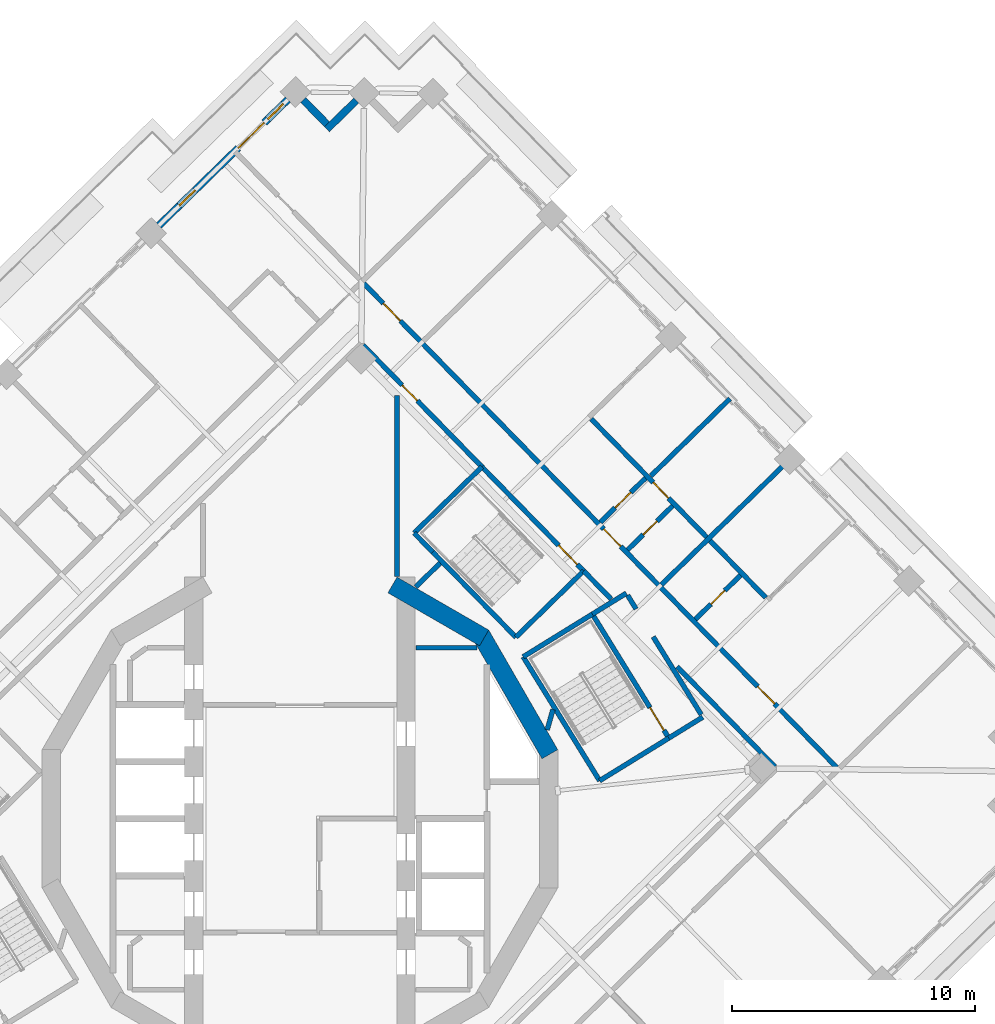
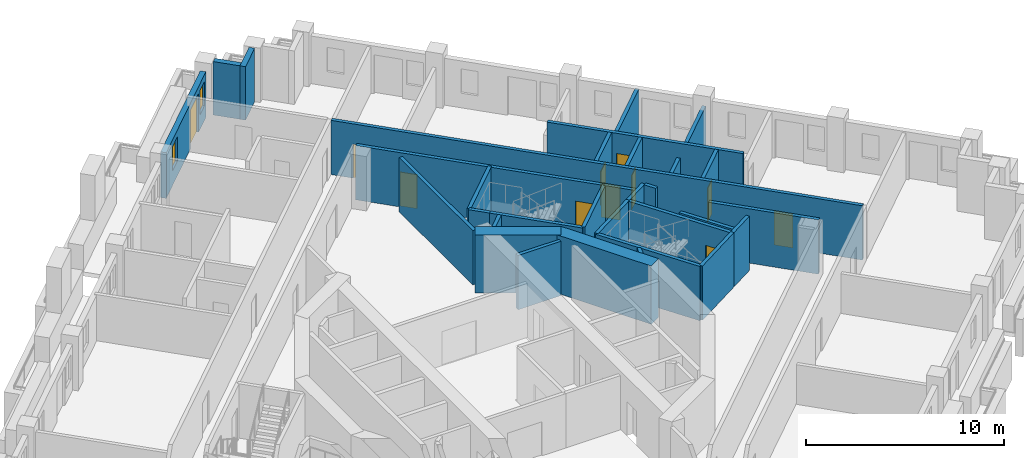
# One storey, part 9 of 17: 32 walls, 11 doors, 2 windows, 13 openings.
"""IFC4 building model written with IfcOpenShell, lengths in metres."""

import ifcopenshell
import ifcopenshell.guid

model = None  # the IFC model being written
_history = None  # IfcOwnerHistory: only IFC2X3 demands one
_inside = {}  # id of a spatial element -> (the spatial element, [elements in it])
_under = {}  # id of a project, library or spatial element -> (it, [spatial elements below it])
_declared = {}  # id of a project -> (the project, [libraries it declares])
_typed = {}  # id of a type object -> (the type object, [elements of that type])
_made_of = {}  # id of a material, layer set ... -> (it, [elements and type objects made of it])


def new_model(schema):
    """Start an empty IFC model of exactly this schema.

    Asked for "IFC4X3", IfcOpenShell would pick the latest addendum, in which some entities
    have other attributes; the version numbers below select the first issue.
    IFC2X3 requires an IfcOwnerHistory on every rooted entity: one is made here for all.
    """
    global model, _history
    if schema == "IFC4X3":
        model = ifcopenshell.file(schema_version=(4, 3, 0, 0))
    else:
        model = ifcopenshell.file(schema=schema)
    _inside.clear()
    _under.clear()
    _declared.clear()
    _typed.clear()
    _made_of.clear()
    _history = None
    if model.schema == "IFC2X3":
        org = make("IfcOrganization", Name="unknown")
        user = make(
            "IfcPersonAndOrganization",
            ThePerson=make("IfcPerson", FamilyName="unknown"),
            TheOrganization=org,
        )
        app = make(
            "IfcApplication",
            ApplicationDeveloper=org,
            Version="unknown",
            ApplicationFullName="unknown",
            ApplicationIdentifier="unknown",
        )
        _history = make(
            "IfcOwnerHistory",
            OwningUser=user,
            OwningApplication=app,
            ChangeAction="ADDED",
            CreationDate=0,
        )
    return model


def make(cls, **values):
    """One entity of the class cls with the attributes given. An attribute that is None is left unset."""
    return model.create_entity(
        cls, **{name: value for name, value in values.items() if value is not None}
    )


def rooted(cls, **values):
    """An entity with a GlobalId (a new one), such as an element, a storey or a relation."""
    return make(cls, GlobalId=ifcopenshell.guid.new(), OwnerHistory=_history, **values)


def si_unit(unit_type, name, prefix=None):
    """IfcSIUnit, for example si_unit("LENGTHUNIT", "METRE", prefix="MILLI")."""
    return make("IfcSIUnit", UnitType=unit_type, Prefix=prefix, Name=name)


def assignment(units):
    """IfcUnitAssignment: the units of a project."""
    return None if units is None else make("IfcUnitAssignment", Units=units)


def point(xyz):
    """IfcCartesianPoint."""
    return None if xyz is None else make("IfcCartesianPoint", Coordinates=xyz)


def direction(xyz):
    """IfcDirection."""
    return None if xyz is None else make("IfcDirection", DirectionRatios=xyz)


def frame(location, z_axis=None, x_axis=None):
    """IfcAxis2Placement3D, a coordinate frame: its origin and axes. An axis left out is left unset."""
    return make(
        "IfcAxis2Placement3D",
        Location=point(location),
        Axis=direction(z_axis),
        RefDirection=direction(x_axis),
    )


def frame_2d(location, x_axis=None):
    """IfcAxis2Placement2D, a coordinate frame in the plane: its origin and x axis."""
    return make(
        "IfcAxis2Placement2D", Location=point(location), RefDirection=direction(x_axis)
    )


def origin():
    """The frame at (0, 0, 0) with its axes left unset."""
    return frame((0.0, 0.0, 0.0))


def place(relative_to, where):
    """IfcLocalPlacement: puts the frame where relative to a parent placement (None: the world)."""
    return make(
        "IfcLocalPlacement", PlacementRelTo=relative_to, RelativePlacement=where
    )


def context(
    kind, dimensions, precision=None, world=None, true_north=None, identifier=None
):
    """IfcGeometricRepresentationContext, for example the 3D "Model" context."""
    return make(
        "IfcGeometricRepresentationContext",
        ContextIdentifier=identifier,
        ContextType=kind,
        CoordinateSpaceDimension=dimensions,
        Precision=precision,
        WorldCoordinateSystem=world,
        TrueNorth=true_north,
    )


def subcontext(parent, identifier, kind, view, scale=None):
    """IfcGeometricRepresentationSubContext, for example "Body" below "Model"."""
    return make(
        "IfcGeometricRepresentationSubContext",
        ContextIdentifier=identifier,
        ContextType=kind,
        ParentContext=parent,
        TargetScale=scale,
        TargetView=view,
    )


def project(units=None, contexts=None):
    """IfcProject with its units and contexts."""
    return rooted(
        "IfcProject",
        Name="project",
        RepresentationContexts=contexts,
        UnitsInContext=assignment(units),
    )


def spatial(cls, under=None, at=None, **own):
    """A site, building, storey or space (cls), placed at a placement, below another one or the project."""
    s = rooted(cls, ObjectPlacement=at, **own)
    if under is not None:
        _under.setdefault(under.id(), (under, []))[1].append(s)
    return s


def profile(cls, at=None, kind="AREA", **sizes):
    """A parametric profile (cls). Its sizes go by their IFC names, for example OverallWidth=200.0."""
    return make(cls, ProfileType=kind, Position=at, **sizes)


def rectangle(**sizes):
    """IfcRectangleProfileDef."""
    return profile("IfcRectangleProfileDef", **sizes)


def extrude(swept, where, along, depth):
    """IfcExtrudedAreaSolid: the profile swept, set in the frame where, extruded along a direction by depth."""
    return make(
        "IfcExtrudedAreaSolid",
        SweptArea=swept,
        Position=where,
        ExtrudedDirection=direction(along),
        Depth=depth,
    )


def shape(context_of_items, identifier, shape_type, items):
    """IfcShapeRepresentation: the items that make up one representation, for example the "Body"."""
    return make(
        "IfcShapeRepresentation",
        ContextOfItems=context_of_items,
        RepresentationIdentifier=identifier,
        RepresentationType=shape_type,
        Items=items,
    )


def material(Name=None, Category=None):
    """IfcMaterial."""
    return make("IfcMaterial", Name=Name, Category=Category)


def layer(
    of_material, thickness, ventilated=None, Name=None, Category=None, Priority=None
):
    """IfcMaterialLayer: one layer of a wall or slab, of a material (None: an air gap)."""
    return make(
        "IfcMaterialLayer",
        Material=of_material,
        LayerThickness=thickness,
        IsVentilated=ventilated,
        Name=Name,
        Category=Category,
        Priority=Priority,
    )


def layer_set(layers, Name=None):
    """IfcMaterialLayerSet."""
    return make("IfcMaterialLayerSet", MaterialLayers=layers, LayerSetName=Name)


def made_of(thing, what):
    """Note that an element or type object is made of a material, layer set ...; save() writes the relation."""
    if what is not None:
        _made_of.setdefault(what.id(), (what, []))[1].append(thing)
    return thing


def type_object(cls, material=None, **own):
    """A type object (cls), such as IfcWallType, which elements share."""
    return made_of(rooted(cls, **own), material)


def element(
    cls,
    number,
    at=None,
    inside=None,
    cuts=None,
    type_object=None,
    material=None,
    context=None,
    identifier="Body",
    shape_type=None,
    held_by="IfcProductDefinitionShape",
    body=None,
    shapes=None,
    **own,
):
    """One element of the class cls, such as IfcWall. Its Tag is "e" and its number.

    at: its placement. inside: the storey or other place that contains it. cuts: it is an
    opening in that element (IfcRelVoidsElement). A single representation is given by context,
    identifier, shape_type and body (its items); several are given by shapes. held_by: the class
    of the entity that holds the representations. save() writes the other relations.
    """
    e = rooted(cls, Tag="e%d" % number, ObjectPlacement=at, **own)
    if body is not None:
        shapes = [shape(context, identifier, shape_type, body)]
    if shapes is not None:
        e.Representation = make(held_by, Representations=shapes)
    if inside is not None:
        _inside.setdefault(inside.id(), (inside, []))[1].append(e)
    if cuts is not None:
        rooted(
            "IfcRelVoidsElement", RelatingBuildingElement=cuts, RelatedOpeningElement=e
        )
    if type_object is not None:
        _typed.setdefault(type_object.id(), (type_object, []))[1].append(e)
    return made_of(e, material)


def fill(opening, filler):
    """IfcRelFillsElement: the door or window that sits in an opening."""
    return rooted(
        "IfcRelFillsElement",
        RelatingOpeningElement=opening,
        RelatedBuildingElement=filler,
    )


def aggregate(whole, parts):
    """IfcRelAggregates: a whole, such as a stair, and the parts it consists of."""
    return rooted("IfcRelAggregates", RelatingObject=whole, RelatedObjects=parts)


def save(model, path):
    """Write the relations noted so far, then the file.

    IfcRelAggregates (storeys below a building ...), IfcRelContainedInSpatialStructure (elements
    in a storey), IfcRelDefinesByType, IfcRelAssociatesMaterial and IfcRelDeclares: one each for
    every whole, place, type object, material and project.
    """
    for whole, parts in _under.values():
        aggregate(whole, parts)
    for where, things in _inside.values():
        rooted(
            "IfcRelContainedInSpatialStructure",
            RelatedElements=things,
            RelatingStructure=where,
        )
    for kind, things in _typed.values():
        rooted("IfcRelDefinesByType", RelatedObjects=things, RelatingType=kind)
    for what, things in _made_of.values():
        rooted("IfcRelAssociatesMaterial", RelatedObjects=things, RelatingMaterial=what)
    for by, libraries in _declared.values():
        rooted("IfcRelDeclares", RelatingContext=by, RelatedDefinitions=libraries)
    model.write(path)


model = new_model("IFC4")

# Units and contexts
model_context = context("Model", 3, precision=1e-05, world=origin(), true_north=direction((0.0, 1.0)))
body_context = subcontext(model_context, "Body", "Model", "MODEL_VIEW")
ifc_project = project(units=[si_unit("LENGTHUNIT", "METRE"), si_unit("AREAUNIT", "SQUARE_METRE"), si_unit("VOLUMEUNIT", "CUBIC_METRE"), si_unit("PLANEANGLEUNIT", "RADIAN"), si_unit("MASSUNIT", "GRAM", prefix="KILO")], contexts=[model_context])

# Site, building, storey
site_placement = place(None, origin())
site = spatial("IfcSite", under=ifc_project, at=site_placement, CompositionType="ELEMENT")
building_placement = place(site_placement, origin())
building = spatial("IfcBuilding", under=site, at=building_placement, Name="Cantera Rosa Tower", CompositionType="ELEMENT")
storey_placement = place(building_placement, frame((0.0, 0.0, 237.800048828125)))
storey = spatial("IfcBuildingStorey", under=building, at=storey_placement, Name="L52", CompositionType="ELEMENT", Elevation=237.800048828125)

# Walls
ifc_material_1 = material(Name="Gypsum board partition")
ifc_layer_1 = layer(ifc_material_1, 0.199951171875)
ifc_layer_set_1 = layer_set([ifc_layer_1], Name="CORRIDOR WALL 200 H2300")
wall_type_1 = type_object("IfcWallType", Name="CORRIDOR WALL 200 H2300", PredefinedType="PARTITIONING", material=ifc_layer_set_1)
wall_1_placement = place(storey_placement, frame((16.53759765625, 4.291748046875, 0.0), z_axis=(0.0, 0.0, 1.0), x_axis=(-0.524978610061, 0.85111542048, 0.0)))
element("IfcWall", 1, at=wall_1_placement, inside=storey, type_object=wall_type_1, Name="CORRIDOR WALL L52-104", PredefinedType="PARTITIONING", context=body_context, shape_type="SweptSolid", body=[
    extrude(rectangle(XDim=3.7705078125, YDim=0.199951171875, at=frame_2d((1.88525390625, 0.0))), origin(), (0.0, 0.0, 1.0), 2.300048828125),
])
ifc_material_2 = material(Name="Gypsum board partition")
ifc_layer_2 = layer(ifc_material_2, 0.199951171875)
ifc_layer_set_2 = layer_set([ifc_layer_2], Name="CORRIDOR WALL 200 H3350")
wall_type_2 = type_object("IfcWallType", Name="CORRIDOR WALL 200 H3350", PredefinedType="PARTITIONING", material=ifc_layer_set_2)
wall_2_placement = place(storey_placement, frame((4.0, 9.994140625, 0.0), z_axis=(0.0, 0.0, 1.0), x_axis=(0.0, 1.0, 0.0)))
element("IfcWall", 2, at=wall_2_placement, inside=storey, type_object=wall_type_2, Name="CORRIDOR WALL L52-071", PredefinedType="PARTITIONING", context=body_context, shape_type="SweptSolid", body=[
    extrude(rectangle(XDim=7.44775390625, YDim=0.199951171875, at=frame_2d((3.723876953125, 0.0))), origin(), (0.0, 0.0, 1.0), 3.349853515625),
])

# Wall, opening, door
wall_3_placement = place(storey_placement, frame((7.498779296875, 14.50439453125, 0.0), z_axis=(0.0, 0.0, 1.0), x_axis=(-0.69881117118, 0.715306191106, 0.0)))
wall_3 = element("IfcWall", 3, at=wall_3_placement, inside=storey, type_object=wall_type_2, Name="CORRIDOR WALL L52-082", PredefinedType="PARTITIONING", context=body_context, shape_type="SweptSolid", body=[
    extrude(rectangle(XDim=7.015625, YDim=0.199951171875, at=frame_2d((3.5078125, 0.0))), origin(), (0.0, 0.0, 1.0), 3.349853515625),
])
opening_1_placement = place(wall_3_placement, frame((3.8056640625, 0.0, 0.0)))
opening_1 = element("IfcOpeningElement", 4, at=opening_1_placement, cuts=wall_3, Name="Opening L52-007", PredefinedType="OPENING", context=body_context, shape_type="SweptSolid", body=[
    extrude(rectangle(XDim=0.89990234375, YDim=2.10009765625, at=frame_2d((0.449951171875, 1.050048828125))), frame((0.0, 0.10986328125, 0.0), z_axis=(0.0, -1.0, 0.0), x_axis=(1.0, 0.0, 0.0)), (0.0, 0.0, 1.0), 0.219970703125),
])
ifc_material_3 = material(Name="Timber door leaf", Category="wood")
door_type_1 = type_object("IfcDoorType", Name="SERVICE DOOR 900x2100", OperationType="NOTDEFINED", PredefinedType="DOOR", material=ifc_material_3)
door_1_placement = place(opening_1_placement, origin())
door_1 = element("IfcDoor", 5, at=door_1_placement, inside=storey, type_object=door_type_1, Name="DOOR L52-007", OperationType="NOTDEFINED", OverallHeight=2.10009765625, OverallWidth=0.89990234375, PredefinedType="DOOR", context=body_context, shape_type="SweptSolid", body=[
    extrude(rectangle(XDim=0.89990234375, YDim=2.10009765625, at=frame_2d((0.449951171875, 1.050048828125))), frame((0.0, 0.02490234375, 0.0), z_axis=(0.0, -1.0, 0.0), x_axis=(1.0, 0.0, 0.0)), (0.0, 0.0, 1.0), 0.050048828125),
])
fill(opening_1, door_1)

# Walls
wall_4_placement = place(storey_placement, frame((12.05078125, 8.4326171875, 0.0), z_axis=(0.0, 0.0, 1.0), x_axis=(0.851076929832, 0.525041007453, 0.0)))
element("IfcWall", 6, at=wall_4_placement, inside=storey, type_object=wall_type_2, Name="CORRIDOR WALL L52-093", PredefinedType="PARTITIONING", context=body_context, shape_type="SweptSolid", body=[
    extrude(rectangle(XDim=1.645263671875, YDim=0.199951171875, at=frame_2d((0.82275390625, 0.0))), origin(), (0.0, 0.0, 1.0), 3.349853515625),
])
wall_5_placement = place(storey_placement, frame((12.828125, 9.0498046875, 0.0), z_axis=(0.0, 0.0, 1.0), x_axis=(-0.698800279723, 0.715316831242, 0.0)))
element("IfcWall", 7, at=wall_5_placement, inside=storey, type_object=wall_type_2, Name="CORRIDOR WALL L52-099", PredefinedType="PARTITIONING", context=body_context, shape_type="SweptSolid", body=[
    extrude(rectangle(XDim=1.6259765625, YDim=0.199951171875, at=frame_2d((0.81298828125, 0.0))), origin(), (0.0, 0.0, 1.0), 3.349853515625),
])
wall_6_placement = place(storey_placement, frame((15.20068359375, 3.325927734375, 0.0), z_axis=(0.0, 0.0, 1.0), x_axis=(0.8510360128, 0.525107327047, 0.0)))
element("IfcWall", 8, at=wall_6_placement, inside=storey, type_object=wall_type_2, Name="CORRIDOR WALL L52-103", PredefinedType="PARTITIONING", context=body_context, shape_type="SweptSolid", body=[
    extrude(rectangle(XDim=1.64501953125, YDim=0.199951171875, at=frame_2d((0.822509765625, 0.0))), origin(), (0.0, 0.0, 1.0), 3.349853515625),
])
wall_7_placement = place(storey_placement, frame((13.8525390625, 8.64501953125, 0.0), z_axis=(0.0, 0.0, 1.0), x_axis=(-0.52487540685, 0.851179068871, 0.0)))
element("IfcWall", 9, at=wall_7_placement, inside=storey, type_object=wall_type_2, Name="CORRIDOR WALL L52-105", PredefinedType="PARTITIONING", context=body_context, shape_type="SweptSolid", body=[
    extrude(rectangle(XDim=0.6650390625, YDim=0.199951171875, at=frame_2d((0.33251953125, 0.0))), origin(), (0.0, 0.0, 1.0), 3.349853515625),
])
wall_8_placement = place(storey_placement, frame((19.57763671875, 2.14111328125, 0.0), z_axis=(0.0, 0.0, 1.0), x_axis=(-0.698830151438, 0.715287648042, 0.0)))
element("IfcWall", 10, at=wall_8_placement, inside=storey, type_object=wall_type_2, Name="CORRIDOR WALL L52-111", PredefinedType="PARTITIONING", context=body_context, shape_type="SweptSolid", body=[
    extrude(rectangle(XDim=5.770751953125, YDim=0.199951171875, at=frame_2d((2.88525390625, 0.0))), origin(), (0.0, 0.0, 1.0), 3.349853515625),
])

# Wall, openings, doors
wall_9_placement = place(storey_placement, frame((22.123291015625, 2.111572265625, 0.0), z_axis=(0.0, 0.0, 1.0), x_axis=(-0.698833455684, 0.715284419806, 0.0)))
wall_9 = element("IfcWall", 11, at=wall_9_placement, inside=storey, type_object=wall_type_2, Name="CORRIDOR WALL L52-112", PredefinedType="PARTITIONING", context=body_context, shape_type="SweptSolid", body=[
    extrude(rectangle(XDim=27.900146484375, YDim=0.199951171875, at=frame_2d((13.9501953125, 0.0))), origin(), (0.0, 0.0, 1.0), 3.349853515625),
])
opening_2_placement = place(wall_9_placement, frame((3.669921875, 0.0, 0.0)))
opening_2 = element("IfcOpeningElement", 12, at=opening_2_placement, cuts=wall_9, Name="Opening L52-022", PredefinedType="OPENING", context=body_context, shape_type="SweptSolid", body=[
    extrude(rectangle(XDim=1.0, YDim=2.10009765625, at=frame_2d((0.5, 1.050048828125))), frame((0.0, 0.10986328125, 0.0), z_axis=(0.0, -1.0, 0.0), x_axis=(1.0, 0.0, 0.0)), (0.0, 0.0, 1.0), 0.219970703125),
])
opening_3_placement = place(wall_9_placement, frame((12.739990234375, 0.0, 0.0)))
opening_3 = element("IfcOpeningElement", 13, at=opening_3_placement, cuts=wall_9, Name="Opening L52-025", PredefinedType="OPENING", context=body_context, shape_type="SweptSolid", body=[
    extrude(rectangle(XDim=1.0, YDim=2.10009765625, at=frame_2d((0.5, 1.050048828125))), frame((0.0, 0.10986328125, 0.0), z_axis=(0.0, -1.0, 0.0), x_axis=(1.0, 0.0, 0.0)), (0.0, 0.0, 1.0), 0.219970703125),
])
opening_4_placement = place(wall_9_placement, frame((25.739990234375, 0.0, 0.0)))
opening_4 = element("IfcOpeningElement", 14, at=opening_4_placement, cuts=wall_9, Name="Opening L52-030", PredefinedType="OPENING", context=body_context, shape_type="SweptSolid", body=[
    extrude(rectangle(XDim=1.0, YDim=2.10009765625, at=frame_2d((0.5, 1.050048828125))), frame((0.0, 0.10986328125, 0.0), z_axis=(0.0, -1.0, 0.0), x_axis=(1.0, 0.0, 0.0)), (0.0, 0.0, 1.0), 0.219970703125),
])
ifc_material_4 = material(Name="Timber door leaf", Category="wood")
door_type_2 = type_object("IfcDoorType", Name="ENTRANCE DOOR 1000x2100", OperationType="NOTDEFINED", PredefinedType="DOOR", material=ifc_material_4)
door_2_placement = place(opening_2_placement, origin())
door_2 = element("IfcDoor", 15, at=door_2_placement, inside=storey, type_object=door_type_2, Name="DOOR L52-022", OperationType="NOTDEFINED", OverallHeight=2.10009765625, OverallWidth=1.0, PredefinedType="DOOR", context=body_context, shape_type="SweptSolid", body=[
    extrude(rectangle(XDim=1.0, YDim=2.10009765625, at=frame_2d((0.5, 1.050048828125))), frame((0.0, 0.02490234375, 0.0), z_axis=(0.0, -1.0, 0.0), x_axis=(1.0, 0.0, 0.0)), (0.0, 0.0, 1.0), 0.050048828125),
])
fill(opening_2, door_2)
door_3_placement = place(opening_3_placement, origin())
door_3 = element("IfcDoor", 16, at=door_3_placement, inside=storey, type_object=door_type_2, Name="DOOR L52-025", OperationType="NOTDEFINED", OverallHeight=2.10009765625, OverallWidth=1.0, PredefinedType="DOOR", context=body_context, shape_type="SweptSolid", body=[
    extrude(rectangle(XDim=1.0, YDim=2.10009765625, at=frame_2d((0.5, 1.050048828125))), frame((0.0, 0.02490234375, 0.0), z_axis=(0.0, -1.0, 0.0), x_axis=(1.0, 0.0, 0.0)), (0.0, 0.0, 1.0), 0.050048828125),
])
fill(opening_3, door_3)
ifc_material_5 = material(Name="Timber door leaf", Category="wood")
door_type_3 = type_object("IfcDoorType", Name="ROOM DOOR 1000x2100", OperationType="NOTDEFINED", PredefinedType="DOOR", material=ifc_material_5)
door_4_placement = place(opening_4_placement, origin())
door_4 = element("IfcDoor", 17, at=door_4_placement, inside=storey, type_object=door_type_3, Name="DOOR L52-030", OperationType="NOTDEFINED", OverallHeight=2.10009765625, OverallWidth=1.0, PredefinedType="DOOR", context=body_context, shape_type="SweptSolid", body=[
    extrude(rectangle(XDim=1.0, YDim=2.10009765625, at=frame_2d((0.5, 1.050048828125))), frame((0.0, 0.02490234375, 0.0), z_axis=(0.0, -1.0, 0.0), x_axis=(1.0, 0.0, 0.0)), (0.0, 0.0, 1.0), 0.050048828125),
])
fill(opening_4, door_4)

# Walls
ifc_material_6 = material(Name="Hollow clay masonry with cantera stone cladding", Category="masonry")
ifc_layer_3 = layer(ifc_material_6, 0.300048828125)
ifc_layer_set_3 = layer_set([ifc_layer_3], Name="EW-LOGGIA 300")
wall_type_3 = type_object("IfcWallType", Name="EW-LOGGIA 300", PredefinedType="SOLIDWALL", material=ifc_layer_set_3)
wall_10_placement = place(storey_placement, frame((2.324462890625, 29.602783203125, 0.0), z_axis=(0.0, 0.0, 1.0), x_axis=(-0.715316077832, -0.69880105094, 0.0)))
element("IfcWall", 18, at=wall_10_placement, inside=storey, type_object=wall_type_3, Name="EN-L52-W06a", PredefinedType="SOLIDWALL", context=body_context, shape_type="SweptSolid", body=[
    extrude(rectangle(XDim=1.699951171875, YDim=0.300048828125, at=frame_2d((0.85009765625, 0.0))), origin(), (0.0, 0.0, 1.0), 3.300048828125),
])
wall_11_placement = place(storey_placement, frame((1.111083984375, 28.626953125, 0.0), z_axis=(0.0, 0.0, 1.0), x_axis=(-0.698951192766, 0.71516937164, 0.0)))
element("IfcWall", 19, at=wall_11_placement, inside=storey, type_object=wall_type_3, Name="EN-L52-W06b", PredefinedType="SOLIDWALL", context=body_context, shape_type="SweptSolid", body=[
    extrude(rectangle(XDim=1.39990234375, YDim=0.300048828125, at=frame_2d((0.699951171875, 0.0))), origin(), (0.0, 0.0, 1.0), 3.300048828125),
])

# Wall, openings, windows, door
ifc_material_7 = material(Name="Hollow clay masonry with cantera stone cladding", Category="masonry")
ifc_layer_4 = layer(ifc_material_7, 0.300048828125)
ifc_layer_set_4 = layer_set([ifc_layer_4], Name="EW-LOGGIA 300 H2820")
wall_type_4 = type_object("IfcWallType", Name="EW-LOGGIA 300 H2820", PredefinedType="SOLIDWALL", material=ifc_layer_set_4)
wall_12_placement = place(storey_placement, frame((-0.503662109375, 29.6357421875, 0.0), z_axis=(0.0, 0.0, 1.0), x_axis=(-0.715284379566, -0.698833496871, 0.0)))
wall_12 = element("IfcWall", 20, at=wall_12_placement, inside=storey, type_object=wall_type_4, Name="EN-L52-W07", PredefinedType="SOLIDWALL", context=body_context, shape_type="SweptSolid", body=[
    extrude(rectangle(XDim=7.42041015625, YDim=0.300048828125, at=frame_2d((3.710205078125, 0.0))), origin(), (0.0, 0.0, 1.0), 2.820068359375),
])
opening_5_placement = place(wall_12_placement, frame((0.25, 0.0, 0.89990234375)))
opening_5 = element("IfcOpeningElement", 21, at=opening_5_placement, cuts=wall_12, Name="Opening L52-W13", PredefinedType="OPENING", context=body_context, shape_type="SweptSolid", body=[
    extrude(rectangle(XDim=0.89990234375, YDim=1.5, at=frame_2d((0.449951171875, 0.75))), frame((0.0, 0.159912109375, 0.0), z_axis=(0.0, -1.0, 0.0), x_axis=(1.0, 0.0, 0.0)), (0.0, 0.0, 1.0), 0.320068359375),
])
opening_6_placement = place(wall_12_placement, frame((1.35009765625, 0.0, 0.0)))
opening_6 = element("IfcOpeningElement", 22, at=opening_6_placement, cuts=wall_12, Name="Opening L52-TD14", PredefinedType="OPENING", context=body_context, shape_type="SweptSolid", body=[
    extrude(rectangle(XDim=1.5, YDim=2.39990234375, at=frame_2d((0.75, 1.199951171875))), frame((0.0, 0.159912109375, 0.0), z_axis=(0.0, -1.0, 0.0), x_axis=(1.0, 0.0, 0.0)), (0.0, 0.0, 1.0), 0.320068359375),
])
opening_7_placement = place(wall_12_placement, frame((5.340087890625, 0.0, 0.89990234375)))
opening_7 = element("IfcOpeningElement", 23, at=opening_7_placement, cuts=wall_12, Name="Opening L52-W15", PredefinedType="OPENING", context=body_context, shape_type="SweptSolid", body=[
    extrude(rectangle(XDim=0.89990234375, YDim=1.5, at=frame_2d((0.449951171875, 0.75))), frame((0.0, 0.159912109375, 0.0), z_axis=(0.0, -1.0, 0.0), x_axis=(1.0, 0.0, 0.0)), (0.0, 0.0, 1.0), 0.320068359375),
])
ifc_material_8 = material(Name="Aluminium frame with clear glass", Category="aluminium")
window_type = type_object("IfcWindowType", Name="Residential window 900x1500", PartitioningType="SINGLE_PANEL", PredefinedType="WINDOW", material=ifc_material_8)
window_1_placement = place(opening_5_placement, origin())
window_1 = element("IfcWindow", 24, at=window_1_placement, inside=storey, type_object=window_type, Name="WINDOW L52-W13", OverallHeight=1.5, OverallWidth=0.89990234375, PartitioningType="SINGLE_PANEL", PredefinedType="WINDOW", context=body_context, shape_type="SweptSolid", body=[
    extrude(rectangle(XDim=0.89990234375, YDim=1.5, at=frame_2d((0.449951171875, 0.75))), frame((0.0, 0.030029296875, 0.0), z_axis=(0.0, -1.0, 0.0), x_axis=(1.0, 0.0, 0.0)), (0.0, 0.0, 1.0), 0.06005859375),
])
fill(opening_5, window_1)
window_2_placement = place(opening_7_placement, origin())
window_2 = element("IfcWindow", 25, at=window_2_placement, inside=storey, type_object=window_type, Name="WINDOW L52-W15", OverallHeight=1.5, OverallWidth=0.89990234375, PartitioningType="SINGLE_PANEL", PredefinedType="WINDOW", context=body_context, shape_type="SweptSolid", body=[
    extrude(rectangle(XDim=0.89990234375, YDim=1.5, at=frame_2d((0.449951171875, 0.75))), frame((0.0, 0.030029296875, 0.0), z_axis=(0.0, -1.0, 0.0), x_axis=(1.0, 0.0, 0.0)), (0.0, 0.0, 1.0), 0.06005859375),
])
fill(opening_7, window_2)
ifc_material_9 = material(Name="Aluminium frame with clear glass", Category="aluminium")
door_type_4 = type_object("IfcDoorType", Name="TD-R 1500x2400", OperationType="NOTDEFINED", PredefinedType="DOOR", material=ifc_material_9)
door_5_placement = place(opening_6_placement, origin())
door_5 = element("IfcDoor", 26, at=door_5_placement, inside=storey, type_object=door_type_4, Name="LOGGIA DOOR L52-TD14", OperationType="SLIDING_TO_LEFT", OverallHeight=2.39990234375, OverallWidth=1.5, PredefinedType="DOOR", context=body_context, shape_type="SweptSolid", body=[
    extrude(rectangle(XDim=1.5, YDim=2.39990234375, at=frame_2d((0.75, 1.199951171875))), frame((0.0, 0.02490234375, 0.0), z_axis=(0.0, -1.0, 0.0), x_axis=(1.0, 0.0, 0.0)), (0.0, 0.0, 1.0), 0.050048828125),
])
fill(opening_6, door_5)

# Walls
ifc_material_10 = material(Name="Gypsum board partition")
ifc_layer_5 = layer(ifc_material_10, 0.199951171875)
ifc_layer_set_5 = layer_set([ifc_layer_5], Name="PARTITION 200 H2850")
wall_type_5 = type_object("IfcWallType", Name="PARTITION 200 H2850", PredefinedType="PARTITIONING", material=ifc_layer_set_5)
wall_13_placement = place(storey_placement, frame((14.463134765625, 14.13037109375, 0.0), z_axis=(0.0, 0.0, 1.0), x_axis=(0.715268883314, 0.698849357561, 0.0)))
element("IfcWall", 27, at=wall_13_placement, inside=storey, type_object=wall_type_5, Name="PARTITION L52-101", PredefinedType="PARTITIONING", context=body_context, shape_type="SweptSolid", body=[
    extrude(rectangle(XDim=4.5498046875, YDim=0.199951171875, at=frame_2d((2.27490234375, 0.0))), origin(), (0.0, 0.0, 1.0), 2.849853515625),
])
ifc_material_11 = material(Name="Gypsum board partition")
ifc_layer_6 = layer(ifc_material_11, 0.199951171875)
ifc_layer_set_6 = layer_set([ifc_layer_6], Name="PARTITION 200 H3350")
wall_type_6 = type_object("IfcWallType", Name="PARTITION 200 H3350", PredefinedType="PARTITIONING", material=ifc_layer_set_6)
wall_14_placement = place(storey_placement, frame((4.780029296875, 7.050048828125, 0.0), z_axis=(0.0, 0.0, 1.0), x_axis=(1.0, 0.0, 0.0)))
element("IfcWall", 28, at=wall_14_placement, inside=storey, type_object=wall_type_6, Name="PARTITION L52-074", PredefinedType="PARTITIONING", context=body_context, shape_type="SweptSolid", body=[
    extrude(rectangle(XDim=2.517822265625, YDim=0.199951171875, at=frame_2d((1.2587890625, 0.0))), origin(), (0.0, 0.0, 1.0), 3.349853515625),
])
wall_15_placement = place(storey_placement, frame((5.776123046875, 10.536376953125, 0.0), z_axis=(0.0, 0.0, 1.0), x_axis=(-0.715283583322, -0.698834311858, 0.0)))
element("IfcWall", 29, at=wall_15_placement, inside=storey, type_object=wall_type_6, Name="PARTITION L52-077", PredefinedType="PARTITIONING", context=body_context, shape_type="SweptSolid", body=[
    extrude(rectangle(XDim=1.409912109375, YDim=0.199951171875, at=frame_2d((0.705078125, 0.0))), origin(), (0.0, 0.0, 1.0), 3.349853515625),
])
wall_16_placement = place(storey_placement, frame((10.188720703125, 3.6630859375, 0.0), z_axis=(0.0, 0.0, 1.0), x_axis=(0.272940472287, 0.962030923925, 0.0)))
element("IfcWall", 30, at=wall_16_placement, inside=storey, type_object=wall_type_6, Name="PARTITION L52-089", PredefinedType="PARTITIONING", context=body_context, shape_type="SweptSolid", body=[
    extrude(rectangle(XDim=0.869384765625, YDim=0.199951171875, at=frame_2d((0.4345703125, 0.0))), origin(), (0.0, 0.0, 1.0), 3.349853515625),
])

# Wall, opening, door
wall_17_placement = place(storey_placement, frame((12.383056640625, 12.22412109375, 0.0), z_axis=(0.0, 0.0, 1.0), x_axis=(0.715321599766, 0.698795398459, 0.0)))
wall_17 = element("IfcWall", 31, at=wall_17_placement, inside=storey, type_object=wall_type_6, Name="PARTITION L52-095", PredefinedType="PARTITIONING", context=body_context, shape_type="SweptSolid", body=[
    extrude(rectangle(XDim=2.60009765625, YDim=0.199951171875, at=frame_2d((1.300048828125, 0.0))), origin(), (0.0, 0.0, 1.0), 3.349853515625),
])
opening_8_placement = place(wall_17_placement, frame((0.85009765625, 0.0, 0.0)))
opening_8 = element("IfcOpeningElement", 32, at=opening_8_placement, cuts=wall_17, Name="Opening L52-027", PredefinedType="OPENING", context=body_context, shape_type="SweptSolid", body=[
    extrude(rectangle(XDim=0.89990234375, YDim=2.10009765625, at=frame_2d((0.449951171875, 1.050048828125))), frame((0.0, 0.10986328125, 0.0), z_axis=(0.0, -1.0, 0.0), x_axis=(1.0, 0.0, 0.0)), (0.0, 0.0, 1.0), 0.219970703125),
])
ifc_material_12 = material(Name="Timber door leaf", Category="wood")
door_type_5 = type_object("IfcDoorType", Name="ROOM DOOR 900x2100", OperationType="NOTDEFINED", PredefinedType="DOOR", material=ifc_material_12)
door_6_placement = place(opening_8_placement, origin())
door_6 = element("IfcDoor", 33, at=door_6_placement, inside=storey, type_object=door_type_5, Name="DOOR L52-027", OperationType="NOTDEFINED", OverallHeight=2.10009765625, OverallWidth=0.89990234375, PredefinedType="DOOR", context=body_context, shape_type="SweptSolid", body=[
    extrude(rectangle(XDim=0.89990234375, YDim=2.10009765625, at=frame_2d((0.449951171875, 1.050048828125))), frame((0.0, 0.02490234375, 0.0), z_axis=(0.0, -1.0, 0.0), x_axis=(1.0, 0.0, 0.0)), (0.0, 0.0, 1.0), 0.050048828125),
])
fill(opening_8, door_6)

wall_18_placement = place(storey_placement, frame((13.501220703125, 11.07958984375, 0.0), z_axis=(0.0, 0.0, 1.0), x_axis=(0.715321599766, 0.698795398459, 0.0)))
wall_18 = element("IfcWall", 34, at=wall_18_placement, inside=storey, type_object=wall_type_6, Name="PARTITION L52-100", PredefinedType="PARTITIONING", context=body_context, shape_type="SweptSolid", body=[
    extrude(rectangle(XDim=2.60009765625, YDim=0.199951171875, at=frame_2d((1.300048828125, 0.0))), origin(), (0.0, 0.0, 1.0), 3.349853515625),
])
opening_9_placement = place(wall_18_placement, frame((0.89990234375, 0.0, 0.0)))
opening_9 = element("IfcOpeningElement", 35, at=opening_9_placement, cuts=wall_18, Name="Opening L52-026", PredefinedType="OPENING", context=body_context, shape_type="SweptSolid", body=[
    extrude(rectangle(XDim=0.800048828125, YDim=2.10009765625, at=frame_2d((0.39990234375, 1.050048828125))), frame((0.0, 0.10986328125, 0.0), z_axis=(0.0, -1.0, 0.0), x_axis=(1.0, 0.0, 0.0)), (0.0, 0.0, 1.0), 0.219970703125),
])
ifc_material_13 = material(Name="Timber door leaf", Category="wood")
door_type_6 = type_object("IfcDoorType", Name="BATHROOM DOOR 800x2100", OperationType="NOTDEFINED", PredefinedType="DOOR", material=ifc_material_13)
door_7_placement = place(opening_9_placement, origin())
door_7 = element("IfcDoor", 36, at=door_7_placement, inside=storey, type_object=door_type_6, Name="DOOR L52-026", OperationType="NOTDEFINED", OverallHeight=2.10009765625, OverallWidth=0.800048828125, PredefinedType="DOOR", context=body_context, shape_type="SweptSolid", body=[
    extrude(rectangle(XDim=0.800048828125, YDim=2.10009765625, at=frame_2d((0.39990234375, 1.050048828125))), frame((0.0, 0.02490234375, 0.0), z_axis=(0.0, -1.0, 0.0), x_axis=(1.0, 0.0, 0.0)), (0.0, 0.0, 1.0), 0.050048828125),
])
fill(opening_9, door_7)

wall_19_placement = place(storey_placement, frame((18.15625, 10.035400390625, 0.0), z_axis=(0.0, 0.0, 1.0), x_axis=(-0.715321599766, -0.698795398459, 0.0)))
wall_19 = element("IfcWall", 37, at=wall_19_placement, inside=storey, type_object=wall_type_6, Name="PARTITION L52-106", PredefinedType="PARTITIONING", context=body_context, shape_type="SweptSolid", body=[
    extrude(rectangle(XDim=2.60009765625, YDim=0.199951171875, at=frame_2d((1.300048828125, 0.0))), origin(), (0.0, 0.0, 1.0), 3.349853515625),
])
opening_10_placement = place(wall_19_placement, frame((0.89990234375, 0.0, 0.0)))
opening_10 = element("IfcOpeningElement", 38, at=opening_10_placement, cuts=wall_19, Name="Opening L52-023", PredefinedType="OPENING", context=body_context, shape_type="SweptSolid", body=[
    extrude(rectangle(XDim=0.800048828125, YDim=2.10009765625, at=frame_2d((0.39990234375, 1.050048828125))), frame((0.0, 0.10986328125, 0.0), z_axis=(0.0, -1.0, 0.0), x_axis=(1.0, 0.0, 0.0)), (0.0, 0.0, 1.0), 0.219970703125),
])
door_8_placement = place(opening_10_placement, origin())
door_8 = element("IfcDoor", 39, at=door_8_placement, inside=storey, type_object=door_type_6, Name="DOOR L52-023", OperationType="NOTDEFINED", OverallHeight=2.10009765625, OverallWidth=0.800048828125, PredefinedType="DOOR", context=body_context, shape_type="SweptSolid", body=[
    extrude(rectangle(XDim=0.800048828125, YDim=2.10009765625, at=frame_2d((0.39990234375, 1.050048828125))), frame((0.0, 0.02490234375, 0.0), z_axis=(0.0, -1.0, 0.0), x_axis=(1.0, 0.0, 0.0)), (0.0, 0.0, 1.0), 0.050048828125),
])
fill(opening_10, door_8)

wall_20_placement = place(storey_placement, frame((19.19921875, 9.111083984375, 0.0), z_axis=(0.0, 0.0, 1.0), x_axis=(-0.698837785219, 0.715280189821, 0.0)))
wall_20 = element("IfcWall", 40, at=wall_20_placement, inside=storey, type_object=wall_type_6, Name="PARTITION L52-110", PredefinedType="PARTITIONING", context=body_context, shape_type="SweptSolid", body=[
    extrude(rectangle(XDim=10.289794921875, YDim=0.199951171875, at=frame_2d((5.14501953125, 0.0))), origin(), (0.0, 0.0, 1.0), 3.349853515625),
])
opening_11_placement = place(wall_20_placement, frame((5.739990234375, 0.0, 0.0)))
opening_11 = element("IfcOpeningElement", 41, at=opening_11_placement, cuts=wall_20, Name="Opening L52-028", PredefinedType="OPENING", context=body_context, shape_type="SweptSolid", body=[
    extrude(rectangle(XDim=0.89990234375, YDim=2.10009765625, at=frame_2d((0.449951171875, 1.050048828125))), frame((0.0, 0.10986328125, 0.0), z_axis=(0.0, -1.0, 0.0), x_axis=(1.0, 0.0, 0.0)), (0.0, 0.0, 1.0), 0.219970703125),
])
door_9_placement = place(opening_11_placement, origin())
door_9 = element("IfcDoor", 42, at=door_9_placement, inside=storey, type_object=door_type_5, Name="DOOR L52-028", OperationType="NOTDEFINED", OverallHeight=2.10009765625, OverallWidth=0.89990234375, PredefinedType="DOOR", context=body_context, shape_type="SweptSolid", body=[
    extrude(rectangle(XDim=0.89990234375, YDim=2.10009765625, at=frame_2d((0.449951171875, 1.050048828125))), frame((0.0, 0.02490234375, 0.0), z_axis=(0.0, -1.0, 0.0), x_axis=(1.0, 0.0, 0.0)), (0.0, 0.0, 1.0), 0.050048828125),
])
fill(opening_11, door_9)

# Walls
ifc_material_14 = material(Name="Gypsum board partition")
ifc_layer_7 = layer(ifc_material_14, 0.199951171875)
ifc_layer_set_7 = layer_set([ifc_layer_7], Name="PARTY WALL 200 H2450")
wall_type_7 = type_object("IfcWallType", Name="PARTY WALL 200 H2450", PredefinedType="PARTITIONING", material=ifc_layer_set_7)
wall_21_placement = place(storey_placement, frame((14.89892578125, 9.64892578125, 0.0), z_axis=(0.0, 0.0, 1.0), x_axis=(0.715274508116, 0.698843600557, 0.0)))
element("IfcWall", 43, at=wall_21_placement, inside=storey, type_object=wall_type_7, Name="PARTY WALL L52-102", PredefinedType="PARTITIONING", context=body_context, shape_type="SweptSolid", body=[
    extrude(rectangle(XDim=7.369873046875, YDim=0.199951171875, at=frame_2d((3.68505859375, 0.0))), origin(), (0.0, 0.0, 1.0), 2.449951171875),
])
ifc_material_15 = material(Name="Concrete C60/75", Category="concrete")
ifc_layer_8 = layer(ifc_material_15, 0.75)
ifc_layer_set_8 = layer_set([ifc_layer_8], Name="RC CORE WALL 750 C60/75")
wall_type_8 = type_object("IfcWallType", Name="RC CORE WALL 750 C60/75", PredefinedType="SHEAR", material=ifc_layer_set_8)
wall_22_placement = place(storey_placement, frame((3.8125, 9.634765625, 0.0), z_axis=(0.0, 0.0, 1.0), x_axis=(0.866013176292, -0.50002117804, 0.0)))
element("IfcWall", 44, at=wall_22_placement, inside=storey, type_object=wall_type_8, Name="CW-E1 L52", PredefinedType="SHEAR", context=body_context, shape_type="SweptSolid", body=[
    extrude(rectangle(XDim=4.362548828125, YDim=0.75, at=frame_2d((2.18115234375, 0.0))), origin(), (0.0, 0.0, 1.0), 3.599853515625),
])
wall_23_placement = place(storey_placement, frame((7.453369140625, 7.590576171875, 0.0), z_axis=(0.0, 0.0, 1.0), x_axis=(0.500021842983, -0.866012792365, 0.0)))
element("IfcWall", 45, at=wall_23_placement, inside=storey, type_object=wall_type_8, Name="CW-E2 L52", PredefinedType="SHEAR", context=body_context, shape_type="SweptSolid", body=[
    extrude(rectangle(XDim=5.694091796875, YDim=0.75, at=frame_2d((2.84716796875, 0.0))), origin(), (0.0, 0.0, 1.0), 3.599853515625),
])
ifc_material_16 = material(Name="Concrete C50/60", Category="concrete")
ifc_layer_9 = layer(ifc_material_16, 0.199951171875)
ifc_layer_set_9 = layer_set([ifc_layer_9], Name="STAIR WALL 200 H3350")
wall_type_9 = type_object("IfcWallType", Name="STAIR WALL 200 H3350", PredefinedType="SOLIDWALL", material=ifc_layer_set_9)
wall_24_placement = place(storey_placement, frame((4.705322265625, 11.775390625, 0.0), z_axis=(0.0, 0.0, 1.0), x_axis=(0.698847807351, -0.715270397934, 0.0)))
element("IfcWall", 46, at=wall_24_placement, inside=storey, type_object=wall_type_9, Name="STAIR WALL L52-072", PredefinedType="SOLIDWALL", context=body_context, shape_type="SweptSolid", body=[
    extrude(rectangle(XDim=1.10009765625, YDim=0.199951171875, at=frame_2d((0.550048828125, 0.0))), origin(), (0.0, 0.0, 1.0), 3.349853515625),
])
wall_25_placement = place(storey_placement, frame((7.498779296875, 14.50439453125, 0.0), z_axis=(0.0, 0.0, 1.0), x_axis=(-0.715310770212, -0.698806483956, 0.0)))
element("IfcWall", 47, at=wall_25_placement, inside=storey, type_object=wall_type_9, Name="STAIR WALL L52-083", PredefinedType="SOLIDWALL", context=body_context, shape_type="SweptSolid", body=[
    extrude(rectangle(XDim=3.9052734375, YDim=0.199951171875, at=frame_2d((1.95263671875, 0.0))), origin(), (0.0, 0.0, 1.0), 3.349853515625),
])
wall_26_placement = place(storey_placement, frame((9.199462890625, 6.674072265625, 0.0), z_axis=(0.0, 0.0, 1.0), x_axis=(0.85113993661, 0.524938861495, 0.0)))
element("IfcWall", 48, at=wall_26_placement, inside=storey, type_object=wall_type_9, Name="STAIR WALL L52-088", PredefinedType="SOLIDWALL", context=body_context, shape_type="SweptSolid", body=[
    extrude(rectangle(XDim=3.35009765625, YDim=0.199951171875, at=frame_2d((1.675048828125, 0.0))), origin(), (0.0, 0.0, 1.0), 3.349853515625),
])

# Wall, opening, door
wall_27_placement = place(storey_placement, frame((11.69189453125, 10.212890625, 0.0), z_axis=(0.0, 0.0, 1.0), x_axis=(-0.698860098963, 0.71525838833, 0.0)))
wall_27 = element("IfcWall", 49, at=wall_27_placement, inside=storey, type_object=wall_type_9, Name="STAIR WALL L52-090", PredefinedType="SOLIDWALL", context=body_context, shape_type="SweptSolid", body=[
    extrude(rectangle(XDim=6.0, YDim=0.199951171875, at=frame_2d((3.0, 0.0))), origin(), (0.0, 0.0, 1.0), 3.349853515625),
])
opening_12_placement = place(wall_27_placement, frame((0.375, 0.0, 0.0)))
opening_12 = element("IfcOpeningElement", 50, at=opening_12_placement, cuts=wall_27, Name="Opening L52-003", PredefinedType="OPENING", context=body_context, shape_type="SweptSolid", body=[
    extrude(rectangle(XDim=1.10009765625, YDim=2.10009765625, at=frame_2d((0.550048828125, 1.050048828125))), frame((0.0, 0.10986328125, 0.0), z_axis=(0.0, -1.0, 0.0), x_axis=(1.0, 0.0, 0.0)), (0.0, 0.0, 1.0), 0.219970703125),
])
ifc_material_17 = material(Name="Steel S355J2 (EN 10025-2)", Category="steel")
door_type_7 = type_object("IfcDoorType", Name="STAIR DOOR 1100x2100", OperationType="NOTDEFINED", PredefinedType="DOOR", material=ifc_material_17)
door_10_placement = place(opening_12_placement, origin())
door_10 = element("IfcDoor", 51, at=door_10_placement, inside=storey, type_object=door_type_7, Name="DOOR L52-003", OperationType="NOTDEFINED", OverallHeight=2.10009765625, OverallWidth=1.10009765625, PredefinedType="DOOR", context=body_context, shape_type="SweptSolid", body=[
    extrude(rectangle(XDim=1.10009765625, YDim=2.10009765625, at=frame_2d((0.550048828125, 1.050048828125))), frame((0.0, 0.02490234375, 0.0), z_axis=(0.0, -1.0, 0.0), x_axis=(1.0, 0.0, 0.0)), (0.0, 0.0, 1.0), 0.050048828125),
])
fill(opening_12, door_10)

# Wall
wall_28_placement = place(storey_placement, frame((11.69189453125, 10.212890625, 0.0), z_axis=(0.0, 0.0, 1.0), x_axis=(-0.715279521258, -0.698838469511, 0.0)))
element("IfcWall", 52, at=wall_28_placement, inside=storey, type_object=wall_type_9, Name="STAIR WALL L52-091", PredefinedType="SOLIDWALL", context=body_context, shape_type="SweptSolid", body=[
    extrude(rectangle(XDim=3.905517578125, YDim=0.199951171875, at=frame_2d((1.95263671875, 0.0))), origin(), (0.0, 0.0, 1.0), 3.349853515625),
])

# Wall, opening, door
wall_29_placement = place(storey_placement, frame((12.05078125, 8.4326171875, 0.0), z_axis=(0.0, 0.0, 1.0), x_axis=(0.524982543144, -0.851112994493, 0.0)))
wall_29 = element("IfcWall", 53, at=wall_29_placement, inside=storey, type_object=wall_type_9, Name="STAIR WALL L52-094", PredefinedType="SOLIDWALL", context=body_context, shape_type="SweptSolid", body=[
    extrude(rectangle(XDim=6.0, YDim=0.199951171875, at=frame_2d((3.0, 0.0))), origin(), (0.0, 0.0, 1.0), 3.349853515625),
])
opening_13_placement = place(wall_29_placement, frame((4.52490234375, 0.0, 0.0)))
opening_13 = element("IfcOpeningElement", 54, at=opening_13_placement, cuts=wall_29, Name="Opening L52-001", PredefinedType="OPENING", context=body_context, shape_type="SweptSolid", body=[
    extrude(rectangle(XDim=1.10009765625, YDim=2.10009765625, at=frame_2d((0.550048828125, 1.050048828125))), frame((0.0, 0.10986328125, 0.0), z_axis=(0.0, -1.0, 0.0), x_axis=(1.0, 0.0, 0.0)), (0.0, 0.0, 1.0), 0.219970703125),
])
door_11_placement = place(opening_13_placement, origin())
door_11 = element("IfcDoor", 55, at=door_11_placement, inside=storey, type_object=door_type_7, Name="DOOR L52-001", OperationType="NOTDEFINED", OverallHeight=2.10009765625, OverallWidth=1.10009765625, PredefinedType="DOOR", context=body_context, shape_type="SweptSolid", body=[
    extrude(rectangle(XDim=1.10009765625, YDim=2.10009765625, at=frame_2d((0.550048828125, 1.050048828125))), frame((0.0, 0.02490234375, 0.0), z_axis=(0.0, -1.0, 0.0), x_axis=(1.0, 0.0, 0.0)), (0.0, 0.0, 1.0), 0.050048828125),
])
fill(opening_13, door_11)

# Walls
wall_30_placement = place(storey_placement, frame((12.349365234375, 1.5673828125, 0.0), z_axis=(0.0, 0.0, 1.0), x_axis=(-0.524982543144, 0.851112994493, 0.0)))
element("IfcWall", 56, at=wall_30_placement, inside=storey, type_object=wall_type_9, Name="STAIR WALL L52-096", PredefinedType="SOLIDWALL", context=body_context, shape_type="SweptSolid", body=[
    extrude(rectangle(XDim=6.0, YDim=0.199951171875, at=frame_2d((3.0, 0.0))), origin(), (0.0, 0.0, 1.0), 3.349853515625),
])
wall_31_placement = place(storey_placement, frame((12.349365234375, 1.5673828125, 0.0), z_axis=(0.0, 0.0, 1.0), x_axis=(0.85113993661, 0.524938861495, 0.0)))
element("IfcWall", 57, at=wall_31_placement, inside=storey, type_object=wall_type_9, Name="STAIR WALL L52-097", PredefinedType="SOLIDWALL", context=body_context, shape_type="SweptSolid", body=[
    extrude(rectangle(XDim=3.35009765625, YDim=0.199951171875, at=frame_2d((1.675048828125, 0.0))), origin(), (0.0, 0.0, 1.0), 3.349853515625),
])
wall_32_placement = place(storey_placement, frame((5.47412109375, 10.988525390625, 0.0), z_axis=(0.0, 0.0, 1.0), x_axis=(0.698837952642, -0.715280026246, 0.0)))
element("IfcWall", 58, at=wall_32_placement, inside=storey, type_object=wall_type_9, Name="STAIR WALL L52-072 J", PredefinedType="SOLIDWALL", context=body_context, shape_type="SweptSolid", body=[
    extrude(rectangle(XDim=4.89990234375, YDim=0.199951171875, at=frame_2d((2.449951171875, 0.0))), origin(), (0.0, 0.0, 1.0), 3.349853515625),
])

save(model, "model.ifc")
